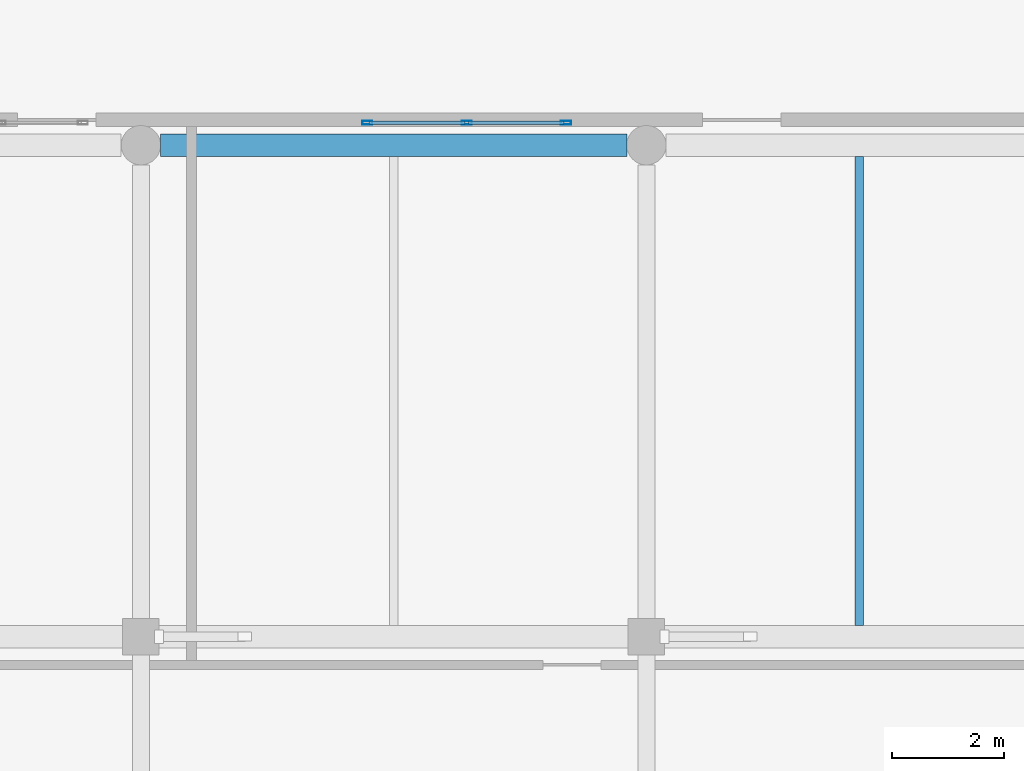
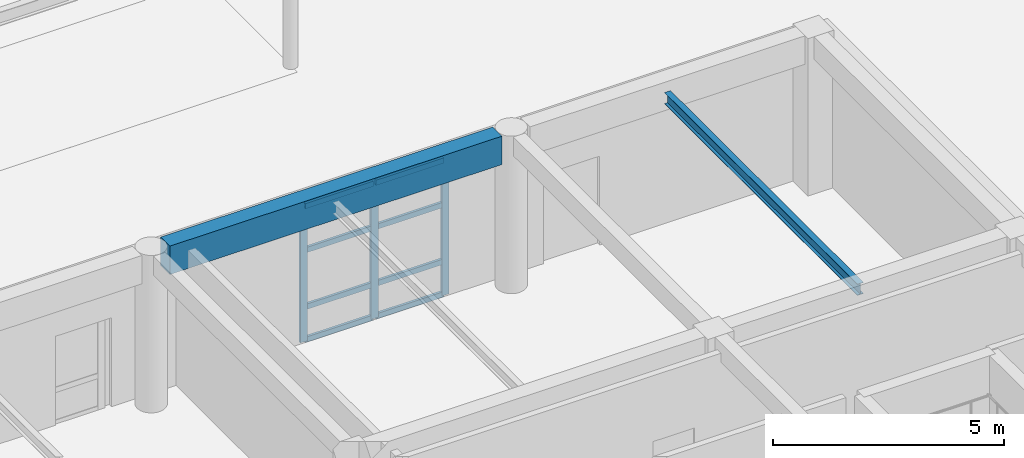
# One storey, part 48 of 114: 11 members, 2 beams, 1 element without a shape of its own.
"""IFC4 building model written with IfcOpenShell, lengths in metres."""

from ifc_helpers import new_model, si_unit, direction, frame, origin, origin_2d, place, context, subcontext, project, spatial, rectangle, hollow_rectangle, i_section, extrude, material, layer, layer_set, material_profile, profile_set, type_object, element, aggregate, save


model = new_model("IFC4")

# Units and contexts
model_context = context("Model", 3, precision=1e-05, world=origin(), true_north=direction((0.0, 1.0)))
body_context = subcontext(model_context, "Body", "Model", "MODEL_VIEW")
ifc_project = project(units=[si_unit("LENGTHUNIT", "METRE"), si_unit("AREAUNIT", "SQUARE_METRE"), si_unit("VOLUMEUNIT", "CUBIC_METRE"), si_unit("PLANEANGLEUNIT", "RADIAN"), si_unit("MASSUNIT", "GRAM", prefix="KILO")], contexts=[model_context])

# Site, building, storey
site_placement = place(None, origin())
site = spatial("IfcSite", under=ifc_project, at=site_placement, CompositionType="ELEMENT")
building_placement = place(site_placement, origin())
building = spatial("IfcBuilding", under=site, at=building_placement, Name="Keldmere Railside Commons", CompositionType="ELEMENT")
storey_placement = place(building_placement, origin())
storey = spatial("IfcBuildingStorey", under=building, at=storey_placement, Name="L00", CompositionType="ELEMENT", Elevation=0.0)

# Beam
ifc_material_1 = material(Name="Concrete H-35 (C35/45)", Category="concrete")
ifc_material_profile_1 = material_profile(ifc_material_1, rectangle(XDim=0.39990234375, YDim=0.75, at=origin_2d()), Name="RC-400x750")
ifc_profile_set_1 = profile_set([ifc_material_profile_1], Name="Concrete H-35 (C35/45)")
beam_type_1 = type_object("IfcBeamType", Name="Civic Frame RC Girder 400x750", PredefinedType="BEAM", material=ifc_profile_set_1)
beam_1_placement = place(storey_placement, frame((159.35009765625, 39.550048828125, 3.784912109375), z_axis=(1.0, 0.0, 0.0), x_axis=(0.0, 1.0, 0.0)))
element("IfcBeam", 1, at=beam_1_placement, inside=storey, type_object=beam_type_1, Name="BG-2 BM-L00-0456", PredefinedType="BEAM", context=body_context, shape_type="SweptSolid", body=[
    extrude(rectangle(XDim=0.39990234375, YDim=0.75, at=origin_2d()), origin(), (0.0, 0.0, 1.0), 8.2998046875),
])

# Curtain wall, members
ifc_material_2 = material(Name="Thermally Broken Aluminium", Category="aluminium")
ifc_layer = layer(ifc_material_2, 0.159912109375, Name="Market Arcade Portal Shopfront CW 3600x3600")
ifc_layer_set = layer_set([ifc_layer], Name="Thermally Broken Aluminium")
curtain_wall_type = type_object("IfcCurtainWallType", Name="Market Arcade Portal Shopfront CW 3600x3600", PredefinedType="NOTDEFINED", material=ifc_layer_set)
curtain_wall_placement = place(storey_placement, origin())
curtain_wall = element("IfcCurtainWall", 2, at=curtain_wall_placement, inside=storey, type_object=curtain_wall_type, Name="CW-01 CW-L00-217", PredefinedType="NOTDEFINED")
ifc_material_profile_2 = material_profile(ifc_material_2, hollow_rectangle(XDim=0.06494140625, YDim=0.179931640625, WallThickness=0.00390625, at=origin_2d()), Name="ALU-MULL-65x180")
ifc_profile_set_2 = profile_set([ifc_material_profile_2], Name="Thermally Broken Aluminium")
member_type_1 = type_object("IfcMemberType", Name="Civic Tall Curtain Wall Mullion 65x180", PredefinedType="MULLION", material=ifc_profile_set_2)
member_1_placement = place(storey_placement, frame((163.032470703125, 39.949951171875, 0.0), z_axis=(0.0, 0.0, 1.0), x_axis=(0.0, 1.0, 0.0)))
member_1 = element("IfcMember", 3, at=member_1_placement, type_object=member_type_1, Name="CW-01 mullion 1", PredefinedType="MULLION", context=body_context, shape_type="SweptSolid", body=[
    extrude(hollow_rectangle(XDim=0.06494140625, YDim=0.179931640625, WallThickness=0.00390625, at=origin_2d()), origin(), (0.0, 0.0, 1.0), 3.60009765625),
])
member_2_placement = place(storey_placement, frame((164.800048828125, 39.949951171875, 0.0), z_axis=(0.0, 0.0, 1.0), x_axis=(0.0, 1.0, 0.0)))
member_2 = element("IfcMember", 4, at=member_2_placement, type_object=member_type_1, Name="CW-01 mullion 2", PredefinedType="MULLION", context=body_context, shape_type="SweptSolid", body=[
    extrude(hollow_rectangle(XDim=0.06494140625, YDim=0.179931640625, WallThickness=0.00390625, at=origin_2d()), origin(), (0.0, 0.0, 1.0), 3.60009765625),
])
member_3_placement = place(storey_placement, frame((166.5673828125, 39.949951171875, 0.0), z_axis=(0.0, 0.0, 1.0), x_axis=(0.0, 1.0, 0.0)))
member_3 = element("IfcMember", 5, at=member_3_placement, type_object=member_type_1, Name="CW-01 mullion 3", PredefinedType="MULLION", context=body_context, shape_type="SweptSolid", body=[
    extrude(hollow_rectangle(XDim=0.06494140625, YDim=0.179931640625, WallThickness=0.00390625, at=origin_2d()), origin(), (0.0, 0.0, 1.0), 3.60009765625),
])
ifc_material_profile_3 = material_profile(ifc_material_2, hollow_rectangle(XDim=0.06494140625, YDim=0.139892578125, WallThickness=0.00390625, at=origin_2d()), Name="ALU-TRAN-65x140")
ifc_profile_set_3 = profile_set([ifc_material_profile_3], Name="Thermally Broken Aluminium")
member_type_2 = type_object("IfcMemberType", Name="Civic Tall Curtain Wall Transom 65x140", PredefinedType="USERDEFINED", material=ifc_profile_set_3)
member_4_placement = place(storey_placement, frame((163.06494140625, 39.949951171875, 0.032470703125), z_axis=(1.0, 0.0, 0.0), x_axis=(0.0, 1.0, 0.0)))
member_4 = element("IfcMember", 6, at=member_4_placement, type_object=member_type_2, Name="CW-01 transom 1.1", ObjectType="TRANSOM", PredefinedType="USERDEFINED", context=body_context, shape_type="SweptSolid", body=[
    extrude(hollow_rectangle(XDim=0.06494140625, YDim=0.139892578125, WallThickness=0.00390625, at=origin_2d()), origin(), (0.0, 0.0, 1.0), 1.70263671875),
])
member_5_placement = place(storey_placement, frame((163.06494140625, 39.949951171875, 0.89990234375), z_axis=(1.0, 0.0, 0.0), x_axis=(0.0, 1.0, 0.0)))
member_5 = element("IfcMember", 7, at=member_5_placement, type_object=member_type_2, Name="CW-01 transom 1.2", ObjectType="TRANSOM", PredefinedType="USERDEFINED", context=body_context, shape_type="SweptSolid", body=[
    extrude(hollow_rectangle(XDim=0.06494140625, YDim=0.139892578125, WallThickness=0.00390625, at=origin_2d()), origin(), (0.0, 0.0, 1.0), 1.70263671875),
])
member_6_placement = place(storey_placement, frame((163.06494140625, 39.949951171875, 2.39990234375), z_axis=(1.0, 0.0, 0.0), x_axis=(0.0, 1.0, 0.0)))
member_6 = element("IfcMember", 8, at=member_6_placement, type_object=member_type_2, Name="CW-01 transom 1.3", ObjectType="TRANSOM", PredefinedType="USERDEFINED", context=body_context, shape_type="SweptSolid", body=[
    extrude(hollow_rectangle(XDim=0.06494140625, YDim=0.139892578125, WallThickness=0.00390625, at=origin_2d()), origin(), (0.0, 0.0, 1.0), 1.70263671875),
])
member_7_placement = place(storey_placement, frame((163.06494140625, 39.949951171875, 3.5673828125), z_axis=(1.0, 0.0, 0.0), x_axis=(0.0, 1.0, 0.0)))
member_7 = element("IfcMember", 9, at=member_7_placement, type_object=member_type_2, Name="CW-01 transom 1.4", ObjectType="TRANSOM", PredefinedType="USERDEFINED", context=body_context, shape_type="SweptSolid", body=[
    extrude(hollow_rectangle(XDim=0.06494140625, YDim=0.139892578125, WallThickness=0.00390625, at=origin_2d()), origin(), (0.0, 0.0, 1.0), 1.70263671875),
])
member_8_placement = place(storey_placement, frame((164.83251953125, 39.949951171875, 0.032470703125), z_axis=(1.0, 0.0, 0.0), x_axis=(0.0, 1.0, 0.0)))
member_8 = element("IfcMember", 10, at=member_8_placement, type_object=member_type_2, Name="CW-01 transom 2.1", ObjectType="TRANSOM", PredefinedType="USERDEFINED", context=body_context, shape_type="SweptSolid", body=[
    extrude(hollow_rectangle(XDim=0.06494140625, YDim=0.139892578125, WallThickness=0.00390625, at=origin_2d()), origin(), (0.0, 0.0, 1.0), 1.702392578125),
])
member_9_placement = place(storey_placement, frame((164.83251953125, 39.949951171875, 0.89990234375), z_axis=(1.0, 0.0, 0.0), x_axis=(0.0, 1.0, 0.0)))
member_9 = element("IfcMember", 11, at=member_9_placement, type_object=member_type_2, Name="CW-01 transom 2.2", ObjectType="TRANSOM", PredefinedType="USERDEFINED", context=body_context, shape_type="SweptSolid", body=[
    extrude(hollow_rectangle(XDim=0.06494140625, YDim=0.139892578125, WallThickness=0.00390625, at=origin_2d()), origin(), (0.0, 0.0, 1.0), 1.702392578125),
])
member_10_placement = place(storey_placement, frame((164.83251953125, 39.949951171875, 2.39990234375), z_axis=(1.0, 0.0, 0.0), x_axis=(0.0, 1.0, 0.0)))
member_10 = element("IfcMember", 12, at=member_10_placement, type_object=member_type_2, Name="CW-01 transom 2.3", ObjectType="TRANSOM", PredefinedType="USERDEFINED", context=body_context, shape_type="SweptSolid", body=[
    extrude(hollow_rectangle(XDim=0.06494140625, YDim=0.139892578125, WallThickness=0.00390625, at=origin_2d()), origin(), (0.0, 0.0, 1.0), 1.702392578125),
])
member_11_placement = place(storey_placement, frame((164.83251953125, 39.949951171875, 3.5673828125), z_axis=(1.0, 0.0, 0.0), x_axis=(0.0, 1.0, 0.0)))
member_11 = element("IfcMember", 13, at=member_11_placement, type_object=member_type_2, Name="CW-01 transom 2.4", ObjectType="TRANSOM", PredefinedType="USERDEFINED", context=body_context, shape_type="SweptSolid", body=[
    extrude(hollow_rectangle(XDim=0.06494140625, YDim=0.139892578125, WallThickness=0.00390625, at=origin_2d()), origin(), (0.0, 0.0, 1.0), 1.702392578125),
])
aggregate(curtain_wall, [member_1, member_2, member_3, member_4, member_5, member_6, member_7, member_8, member_9, member_10, member_11])

# Beam
ifc_material_3 = material(Name="Steel F-36 (S355)", Category="steel")
ifc_material_profile_4 = material_profile(ifc_material_3, i_section(OverallWidth=0.14990234375, OverallDepth=0.300048828125, WebThickness=0.007080078125, FlangeThickness=0.0107421875, at=origin_2d()), Name="IPE-300")
ifc_profile_set_4 = profile_set([ifc_material_profile_4], Name="Steel F-36 (S355)")
beam_type_2 = type_object("IfcBeamType", Name="Podium & Arcade Steel Joist IPE300", PredefinedType="JOIST", material=ifc_profile_set_4)
beam_2_placement = place(storey_placement, frame((171.7880859375, 31.0, 3.739990234375), z_axis=(0.0, 1.0, 0.0), x_axis=(-1.0, 0.0, 0.0)))
element("IfcBeam", 14, at=beam_2_placement, inside=storey, type_object=beam_type_2, Name="JST-1 BM-L00-0690", PredefinedType="JOIST", context=body_context, shape_type="SweptSolid", body=[
    extrude(i_section(OverallWidth=0.14990234375, OverallDepth=0.300048828125, WebThickness=0.007080078125, FlangeThickness=0.0107421875, at=origin_2d()), origin(), (0.0, 0.0, 1.0), 8.35009765625),
])

save(model, "model.ifc")
